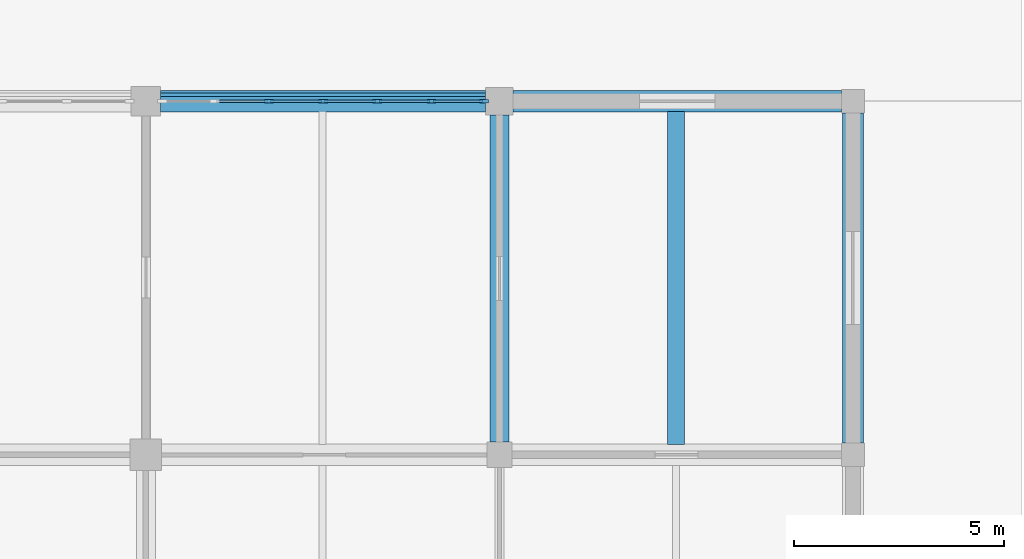
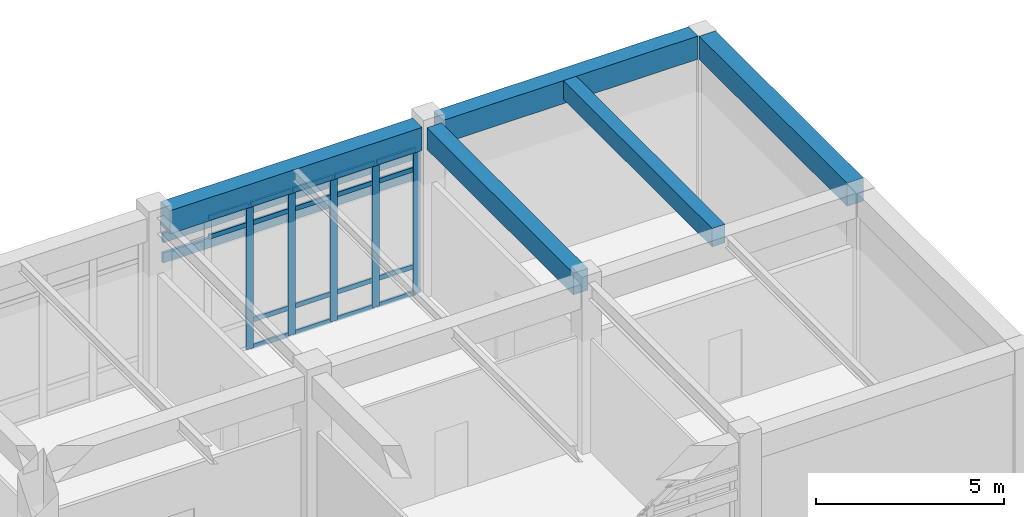
# One storey, part 47 of 91: 25 members, 5 beams, 1 element without a shape of its own.
"""IFC4 building model written with IfcOpenShell, lengths in metres."""

from ifc_helpers import new_model, si_unit, direction, frame, origin, origin_2d, place, context, subcontext, project, spatial, rectangle, extrude, material, layer, layer_set, material_profile, profile_set, type_object, element, aggregate, save


model = new_model("IFC4")

# Units and contexts
model_context = context("Model", 3, precision=1e-05, world=origin(), true_north=direction((0.0, 1.0)))
body_context = subcontext(model_context, "Body", "Model", "MODEL_VIEW")
ifc_project = project(units=[si_unit("LENGTHUNIT", "METRE"), si_unit("AREAUNIT", "SQUARE_METRE"), si_unit("VOLUMEUNIT", "CUBIC_METRE"), si_unit("PLANEANGLEUNIT", "RADIAN"), si_unit("MASSUNIT", "GRAM", prefix="KILO")], contexts=[model_context])

# Site, building, storey
site_placement = place(None, origin())
site = spatial("IfcSite", under=ifc_project, at=site_placement, CompositionType="ELEMENT")
building_placement = place(site_placement, origin())
building = spatial("IfcBuilding", under=site, at=building_placement, Name="Porcellanite Civic Hall", CompositionType="ELEMENT")
storey_placement = place(building_placement, origin())
storey = spatial("IfcBuildingStorey", under=building, at=storey_placement, Name="L00", CompositionType="ELEMENT", Elevation=0.0)

# Beams
ifc_material_1 = material(Name="Concrete N50 (50 MPa)", Category="concrete")
ifc_material_profile_1 = material_profile(ifc_material_1, rectangle(XDim=0.39990234375, YDim=0.60009765625, at=origin_2d()), Name="RC-400x600")
ifc_profile_set_1 = profile_set([ifc_material_profile_1], Name="Concrete N50 (50 MPa)")
beam_type_1 = type_object("IfcBeamType", Name="BM-RC600", PredefinedType="JOIST", material=ifc_profile_set_1)
beam_1_placement = place(storey_placement, frame((172.199951171875, 109.449462890625, 5.199951171875), z_axis=(0.0, 1.0, 0.0), x_axis=(-1.0, 0.0, 0.0)))
element("IfcBeam", 1, at=beam_1_placement, inside=storey, type_object=beam_type_1, Name="Secondary joist L00 21-14", PredefinedType="JOIST", context=body_context, shape_type="SweptSolid", body=[
    extrude(rectangle(XDim=0.39990234375, YDim=0.60009765625, at=origin_2d()), origin(), (0.0, 0.0, 1.0), 7.901123046875),
])
ifc_material_2 = material(Name="Concrete N50 (50 MPa)", Category="concrete")
ifc_material_profile_2 = material_profile(ifc_material_2, rectangle(XDim=0.449951171875, YDim=0.699951171875, at=origin_2d()), Name="RC-450x700")
ifc_profile_set_2 = profile_set([ifc_material_profile_2], Name="Concrete N50 (50 MPa)")
beam_type_2 = type_object("IfcBeamType", Name="BM-RC700", PredefinedType="BEAM", material=ifc_profile_set_2)
beam_2_placement = place(storey_placement, frame((168.0, 109.49951171875, 5.14990234375), z_axis=(0.0, 1.0, 0.0), x_axis=(-1.0, 0.0, 0.0)))
element("IfcBeam", 2, at=beam_2_placement, inside=storey, type_object=beam_type_2, Name="Beam Y L00 21-14", PredefinedType="BEAM", context=body_context, shape_type="SweptSolid", body=[
    extrude(rectangle(XDim=0.449951171875, YDim=0.699951171875, at=origin_2d()), origin(), (0.0, 0.0, 1.0), 7.77587890625),
])
ifc_material_3 = material(Name="Concrete N50 (50 MPa)", Category="concrete")
ifc_material_profile_3 = material_profile(ifc_material_3, rectangle(XDim=0.5, YDim=0.75, at=origin_2d()), Name="RC-500x750")
ifc_profile_set_3 = profile_set([ifc_material_profile_3], Name="Concrete N50 (50 MPa)")
beam_type_3 = type_object("IfcBeamType", Name="BM-RC750", PredefinedType="SPANDREL", material=ifc_profile_set_3)
beam_3_placement = place(storey_placement, frame((159.949462890625, 117.60009765625, 5.125), z_axis=(1.0, 0.0, 0.0), x_axis=(0.0, 1.0, 0.0)))
element("IfcBeam", 3, at=beam_3_placement, inside=storey, type_object=beam_type_3, Name="Beam X L00 20-15", PredefinedType="SPANDREL", context=body_context, shape_type="SweptSolid", body=[
    extrude(rectangle(XDim=0.5, YDim=0.75, at=origin_2d()), origin(), (0.0, 0.0, 1.0), 7.72607421875),
])
beam_4_placement = place(storey_placement, frame((168.324462890625, 117.60009765625, 5.125), z_axis=(1.0, 0.0, 0.0), x_axis=(0.0, 1.0, 0.0)))
element("IfcBeam", 4, at=beam_4_placement, inside=storey, type_object=beam_type_3, Name="Beam X L00 21-15", PredefinedType="SPANDREL", context=body_context, shape_type="SweptSolid", body=[
    extrude(rectangle(XDim=0.5, YDim=0.75, at=origin_2d()), origin(), (0.0, 0.0, 1.0), 7.801025390625),
])
beam_5_placement = place(storey_placement, frame((176.39990234375, 109.474609375, 5.125), z_axis=(0.0, 1.0, 0.0), x_axis=(-1.0, 0.0, 0.0)))
element("IfcBeam", 5, at=beam_5_placement, inside=storey, type_object=beam_type_3, Name="Beam Y L00 22-14", PredefinedType="SPANDREL", context=body_context, shape_type="SweptSolid", body=[
    extrude(rectangle(XDim=0.5, YDim=0.75, at=origin_2d()), origin(), (0.0, 0.0, 1.0), 7.850830078125),
])

# Curtain wall, members
ifc_material_4 = material(Name="Anodised aluminium and solar laminated glass", Category="aluminium")
ifc_layer = layer(ifc_material_4, 0.179931640625)
ifc_layer_set = layer_set([ifc_layer], Name="Anodised aluminium and solar laminated glass")
curtain_wall_type = type_object("IfcCurtainWallType", Name="CW-SYS02", PredefinedType="NOTDEFINED", material=ifc_layer_set)
curtain_wall_placement = place(storey_placement, origin())
curtain_wall = element("IfcCurtainWall", 6, at=curtain_wall_placement, inside=storey, type_object=curtain_wall_type, Name="Curtain wall CW-056", PredefinedType="NOTDEFINED")
ifc_material_5 = material(Name="Anodised aluminium 6063-T6", Category="aluminium")
ifc_material_profile_4 = material_profile(ifc_material_5, rectangle(XDim=0.074951171875, YDim=0.219970703125, at=origin_2d()), Name="AL-75x220")
ifc_profile_set_4 = profile_set([ifc_material_profile_4], Name="Anodised aluminium 6063-T6")
member_type_1 = type_object("IfcMemberType", Name="CWM-03", PredefinedType="MULLION", material=ifc_profile_set_4)
member_1_placement = place(storey_placement, frame((162.525390625, 117.60009765625, 0.0), z_axis=(0.0, 0.0, 1.0), x_axis=(0.0, 1.0, 0.0)))
member_1 = element("IfcMember", 7, at=member_1_placement, type_object=member_type_1, Name="CW-056 mullion 3", PredefinedType="MULLION", context=body_context, shape_type="SweptSolid", body=[
    extrude(rectangle(XDim=0.074951171875, YDim=0.219970703125, at=origin_2d()), origin(), (0.0, 0.0, 1.0), 4.699951171875),
])
member_2_placement = place(storey_placement, frame((163.8125, 117.60009765625, 0.0), z_axis=(0.0, 0.0, 1.0), x_axis=(0.0, 1.0, 0.0)))
member_2 = element("IfcMember", 8, at=member_2_placement, type_object=member_type_1, Name="CW-056 mullion 4", PredefinedType="MULLION", context=body_context, shape_type="SweptSolid", body=[
    extrude(rectangle(XDim=0.074951171875, YDim=0.219970703125, at=origin_2d()), origin(), (0.0, 0.0, 1.0), 4.699951171875),
])
member_3_placement = place(storey_placement, frame((165.099609375, 117.60009765625, 0.0), z_axis=(0.0, 0.0, 1.0), x_axis=(0.0, 1.0, 0.0)))
member_3 = element("IfcMember", 9, at=member_3_placement, type_object=member_type_1, Name="CW-056 mullion 5", PredefinedType="MULLION", context=body_context, shape_type="SweptSolid", body=[
    extrude(rectangle(XDim=0.074951171875, YDim=0.219970703125, at=origin_2d()), origin(), (0.0, 0.0, 1.0), 4.699951171875),
])
member_4_placement = place(storey_placement, frame((166.38671875, 117.60009765625, 0.0), z_axis=(0.0, 0.0, 1.0), x_axis=(0.0, 1.0, 0.0)))
member_4 = element("IfcMember", 10, at=member_4_placement, type_object=member_type_1, Name="CW-056 mullion 6", PredefinedType="MULLION", context=body_context, shape_type="SweptSolid", body=[
    extrude(rectangle(XDim=0.074951171875, YDim=0.219970703125, at=origin_2d()), origin(), (0.0, 0.0, 1.0), 4.699951171875),
])
member_5_placement = place(storey_placement, frame((167.636474609375, 117.60009765625, 0.0), z_axis=(0.0, 0.0, 1.0), x_axis=(0.0, 1.0, 0.0)))
member_5 = element("IfcMember", 11, at=member_5_placement, type_object=member_type_1, Name="CW-056 mullion 7", PredefinedType="MULLION", context=body_context, shape_type="SweptSolid", body=[
    extrude(rectangle(XDim=0.074951171875, YDim=0.219970703125, at=origin_2d()), origin(), (0.0, 0.0, 1.0), 4.699951171875),
])
ifc_material_6 = material(Name="Anodised aluminium 6063-T6", Category="aluminium")
ifc_material_profile_5 = material_profile(ifc_material_6, rectangle(XDim=0.06494140625, YDim=0.14990234375, at=origin_2d()), Name="AL-65x150")
ifc_profile_set_5 = profile_set([ifc_material_profile_5], Name="Anodised aluminium 6063-T6")
member_type_2 = type_object("IfcMemberType", Name="CWT-02", PredefinedType="USERDEFINED", material=ifc_profile_set_5)
member_6_placement = place(storey_placement, frame((161.275634765625, 117.60009765625, 4.050048828125), z_axis=(1.0, 0.0, 0.0), x_axis=(0.0, 1.0, 0.0)))
member_6 = element("IfcMember", 12, at=member_6_placement, type_object=member_type_2, Name="CW-056 transom 2.3", ObjectType="TRANSOM", PredefinedType="USERDEFINED", context=body_context, shape_type="SweptSolid", body=[
    extrude(rectangle(XDim=0.06494140625, YDim=0.14990234375, at=origin_2d()), origin(), (0.0, 0.0, 1.0), 1.212158203125),
])
member_7_placement = place(storey_placement, frame((161.275634765625, 117.60009765625, 4.66748046875), z_axis=(1.0, 0.0, 0.0), x_axis=(0.0, 1.0, 0.0)))
member_7 = element("IfcMember", 13, at=member_7_placement, type_object=member_type_2, Name="CW-056 transom 2.4", ObjectType="TRANSOM", PredefinedType="USERDEFINED", context=body_context, shape_type="SweptSolid", body=[
    extrude(rectangle(XDim=0.06494140625, YDim=0.14990234375, at=origin_2d()), origin(), (0.0, 0.0, 1.0), 1.212158203125),
])
member_8_placement = place(storey_placement, frame((162.562744140625, 117.60009765625, 0.032470703125), z_axis=(1.0, 0.0, 0.0), x_axis=(0.0, 1.0, 0.0)))
member_8 = element("IfcMember", 14, at=member_8_placement, type_object=member_type_2, Name="CW-056 transom 3.1", ObjectType="TRANSOM", PredefinedType="USERDEFINED", context=body_context, shape_type="SweptSolid", body=[
    extrude(rectangle(XDim=0.06494140625, YDim=0.14990234375, at=origin_2d()), origin(), (0.0, 0.0, 1.0), 1.212158203125),
])
member_9_placement = place(storey_placement, frame((162.562744140625, 117.60009765625, 0.89990234375), z_axis=(1.0, 0.0, 0.0), x_axis=(0.0, 1.0, 0.0)))
member_9 = element("IfcMember", 15, at=member_9_placement, type_object=member_type_2, Name="CW-056 transom 3.2", ObjectType="TRANSOM", PredefinedType="USERDEFINED", context=body_context, shape_type="SweptSolid", body=[
    extrude(rectangle(XDim=0.06494140625, YDim=0.14990234375, at=origin_2d()), origin(), (0.0, 0.0, 1.0), 1.212158203125),
])
member_10_placement = place(storey_placement, frame((162.562744140625, 117.60009765625, 4.050048828125), z_axis=(1.0, 0.0, 0.0), x_axis=(0.0, 1.0, 0.0)))
member_10 = element("IfcMember", 16, at=member_10_placement, type_object=member_type_2, Name="CW-056 transom 3.3", ObjectType="TRANSOM", PredefinedType="USERDEFINED", context=body_context, shape_type="SweptSolid", body=[
    extrude(rectangle(XDim=0.06494140625, YDim=0.14990234375, at=origin_2d()), origin(), (0.0, 0.0, 1.0), 1.212158203125),
])
member_11_placement = place(storey_placement, frame((162.562744140625, 117.60009765625, 4.66748046875), z_axis=(1.0, 0.0, 0.0), x_axis=(0.0, 1.0, 0.0)))
member_11 = element("IfcMember", 17, at=member_11_placement, type_object=member_type_2, Name="CW-056 transom 3.4", ObjectType="TRANSOM", PredefinedType="USERDEFINED", context=body_context, shape_type="SweptSolid", body=[
    extrude(rectangle(XDim=0.06494140625, YDim=0.14990234375, at=origin_2d()), origin(), (0.0, 0.0, 1.0), 1.212158203125),
])
member_12_placement = place(storey_placement, frame((163.85009765625, 117.60009765625, 0.032470703125), z_axis=(1.0, 0.0, 0.0), x_axis=(0.0, 1.0, 0.0)))
member_12 = element("IfcMember", 18, at=member_12_placement, type_object=member_type_2, Name="CW-056 transom 4.1", ObjectType="TRANSOM", PredefinedType="USERDEFINED", context=body_context, shape_type="SweptSolid", body=[
    extrude(rectangle(XDim=0.06494140625, YDim=0.14990234375, at=origin_2d()), origin(), (0.0, 0.0, 1.0), 1.212158203125),
])
member_13_placement = place(storey_placement, frame((163.85009765625, 117.60009765625, 0.89990234375), z_axis=(1.0, 0.0, 0.0), x_axis=(0.0, 1.0, 0.0)))
member_13 = element("IfcMember", 19, at=member_13_placement, type_object=member_type_2, Name="CW-056 transom 4.2", ObjectType="TRANSOM", PredefinedType="USERDEFINED", context=body_context, shape_type="SweptSolid", body=[
    extrude(rectangle(XDim=0.06494140625, YDim=0.14990234375, at=origin_2d()), origin(), (0.0, 0.0, 1.0), 1.212158203125),
])
member_14_placement = place(storey_placement, frame((163.85009765625, 117.60009765625, 4.050048828125), z_axis=(1.0, 0.0, 0.0), x_axis=(0.0, 1.0, 0.0)))
member_14 = element("IfcMember", 20, at=member_14_placement, type_object=member_type_2, Name="CW-056 transom 4.3", ObjectType="TRANSOM", PredefinedType="USERDEFINED", context=body_context, shape_type="SweptSolid", body=[
    extrude(rectangle(XDim=0.06494140625, YDim=0.14990234375, at=origin_2d()), origin(), (0.0, 0.0, 1.0), 1.212158203125),
])
member_15_placement = place(storey_placement, frame((163.85009765625, 117.60009765625, 4.66748046875), z_axis=(1.0, 0.0, 0.0), x_axis=(0.0, 1.0, 0.0)))
member_15 = element("IfcMember", 21, at=member_15_placement, type_object=member_type_2, Name="CW-056 transom 4.4", ObjectType="TRANSOM", PredefinedType="USERDEFINED", context=body_context, shape_type="SweptSolid", body=[
    extrude(rectangle(XDim=0.06494140625, YDim=0.14990234375, at=origin_2d()), origin(), (0.0, 0.0, 1.0), 1.212158203125),
])
member_16_placement = place(storey_placement, frame((165.13720703125, 117.60009765625, 0.032470703125), z_axis=(1.0, 0.0, 0.0), x_axis=(0.0, 1.0, 0.0)))
member_16 = element("IfcMember", 22, at=member_16_placement, type_object=member_type_2, Name="CW-056 transom 5.1", ObjectType="TRANSOM", PredefinedType="USERDEFINED", context=body_context, shape_type="SweptSolid", body=[
    extrude(rectangle(XDim=0.06494140625, YDim=0.14990234375, at=origin_2d()), origin(), (0.0, 0.0, 1.0), 1.212158203125),
])
member_17_placement = place(storey_placement, frame((165.13720703125, 117.60009765625, 0.89990234375), z_axis=(1.0, 0.0, 0.0), x_axis=(0.0, 1.0, 0.0)))
member_17 = element("IfcMember", 23, at=member_17_placement, type_object=member_type_2, Name="CW-056 transom 5.2", ObjectType="TRANSOM", PredefinedType="USERDEFINED", context=body_context, shape_type="SweptSolid", body=[
    extrude(rectangle(XDim=0.06494140625, YDim=0.14990234375, at=origin_2d()), origin(), (0.0, 0.0, 1.0), 1.212158203125),
])
member_18_placement = place(storey_placement, frame((165.13720703125, 117.60009765625, 4.050048828125), z_axis=(1.0, 0.0, 0.0), x_axis=(0.0, 1.0, 0.0)))
member_18 = element("IfcMember", 24, at=member_18_placement, type_object=member_type_2, Name="CW-056 transom 5.3", ObjectType="TRANSOM", PredefinedType="USERDEFINED", context=body_context, shape_type="SweptSolid", body=[
    extrude(rectangle(XDim=0.06494140625, YDim=0.14990234375, at=origin_2d()), origin(), (0.0, 0.0, 1.0), 1.212158203125),
])
member_19_placement = place(storey_placement, frame((165.13720703125, 117.60009765625, 4.66748046875), z_axis=(1.0, 0.0, 0.0), x_axis=(0.0, 1.0, 0.0)))
member_19 = element("IfcMember", 25, at=member_19_placement, type_object=member_type_2, Name="CW-056 transom 5.4", ObjectType="TRANSOM", PredefinedType="USERDEFINED", context=body_context, shape_type="SweptSolid", body=[
    extrude(rectangle(XDim=0.06494140625, YDim=0.14990234375, at=origin_2d()), origin(), (0.0, 0.0, 1.0), 1.212158203125),
])
member_20_placement = place(storey_placement, frame((166.42431640625, 117.60009765625, 0.032470703125), z_axis=(1.0, 0.0, 0.0), x_axis=(0.0, 1.0, 0.0)))
member_20 = element("IfcMember", 26, at=member_20_placement, type_object=member_type_2, Name="CW-056 transom 6.1", ObjectType="TRANSOM", PredefinedType="USERDEFINED", context=body_context, shape_type="SweptSolid", body=[
    extrude(rectangle(XDim=0.06494140625, YDim=0.14990234375, at=origin_2d()), origin(), (0.0, 0.0, 1.0), 1.1748046875),
])
member_21_placement = place(storey_placement, frame((166.42431640625, 117.60009765625, 0.89990234375), z_axis=(1.0, 0.0, 0.0), x_axis=(0.0, 1.0, 0.0)))
member_21 = element("IfcMember", 27, at=member_21_placement, type_object=member_type_2, Name="CW-056 transom 6.2", ObjectType="TRANSOM", PredefinedType="USERDEFINED", context=body_context, shape_type="SweptSolid", body=[
    extrude(rectangle(XDim=0.06494140625, YDim=0.14990234375, at=origin_2d()), origin(), (0.0, 0.0, 1.0), 1.1748046875),
])
member_22_placement = place(storey_placement, frame((166.42431640625, 117.60009765625, 4.050048828125), z_axis=(1.0, 0.0, 0.0), x_axis=(0.0, 1.0, 0.0)))
member_22 = element("IfcMember", 28, at=member_22_placement, type_object=member_type_2, Name="CW-056 transom 6.3", ObjectType="TRANSOM", PredefinedType="USERDEFINED", context=body_context, shape_type="SweptSolid", body=[
    extrude(rectangle(XDim=0.06494140625, YDim=0.14990234375, at=origin_2d()), origin(), (0.0, 0.0, 1.0), 1.1748046875),
])
member_23_placement = place(storey_placement, frame((166.42431640625, 117.60009765625, 4.66748046875), z_axis=(1.0, 0.0, 0.0), x_axis=(0.0, 1.0, 0.0)))
member_23 = element("IfcMember", 29, at=member_23_placement, type_object=member_type_2, Name="CW-056 transom 6.4", ObjectType="TRANSOM", PredefinedType="USERDEFINED", context=body_context, shape_type="SweptSolid", body=[
    extrude(rectangle(XDim=0.06494140625, YDim=0.14990234375, at=origin_2d()), origin(), (0.0, 0.0, 1.0), 1.1748046875),
])
aggregate(curtain_wall, [member_1, member_2, member_3, member_4, member_5, member_6, member_7, member_8, member_9, member_10, member_11, member_12, member_13, member_14, member_15, member_16, member_17, member_18, member_19, member_20, member_21, member_22, member_23])

# Members
ifc_material_7 = material(Name="Fluoropolymer bauxite-red aluminium 6063-T6", Category="aluminium")
ifc_material_profile_6 = material_profile(ifc_material_7, rectangle(XDim=0.080078125, YDim=0.320068359375, at=origin_2d()), Name="AL-80x320")
ifc_profile_set_6 = profile_set([ifc_material_profile_6], Name="Fluoropolymer bauxite-red aluminium 6063-T6")
member_type_3 = type_object("IfcMemberType", Name="LV-BLD03", PredefinedType="USERDEFINED", material=ifc_profile_set_6)
for number, where, z_axis, x_axis, name in (
    (30, (159.949462890625, 117.751953125, 4.39990234375), (1.0, 0.0, 0.0), (0.0, 1.0, 0.0), "Cyclone sunshade louvre L00 N 19-13 1"),
    (31, (159.949462890625, 117.751953125, 3.75), (1.0, 0.0, 0.0), (0.0, 1.0, 0.0), "Cyclone sunshade louvre L00 N 19-13 2"),
):
    element("IfcMember", number, at=place(storey_placement, frame(where, z_axis=z_axis, x_axis=x_axis)), inside=storey, type_object=member_type_3, Name=name, ObjectType="LOUVRE BLADE", PredefinedType="USERDEFINED", context=body_context, shape_type="SweptSolid", body=[
        extrude(rectangle(XDim=0.080078125, YDim=0.320068359375, at=origin_2d()), origin(), (0.0, 0.0, 1.0), 7.72607421875),
    ])

save(model, "model.ifc")
